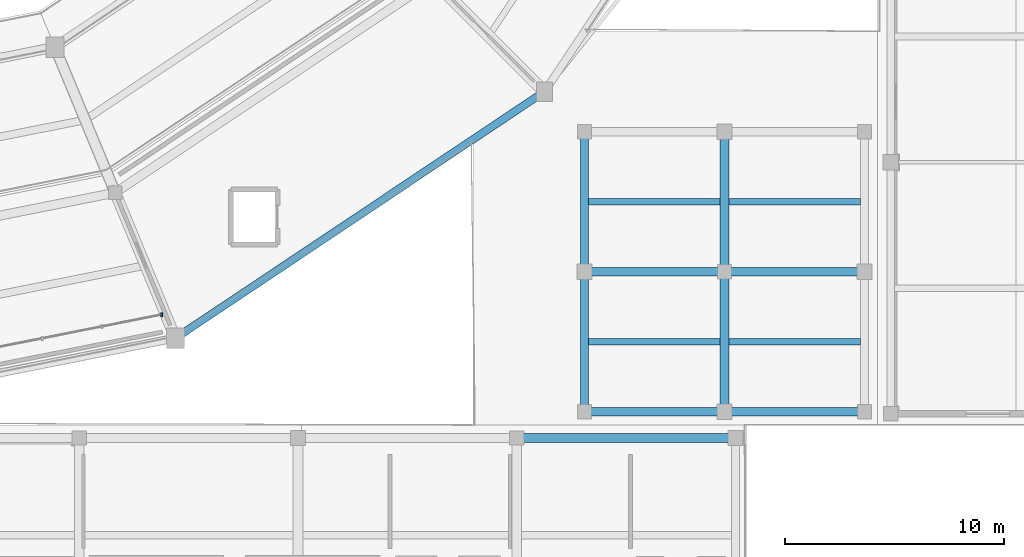
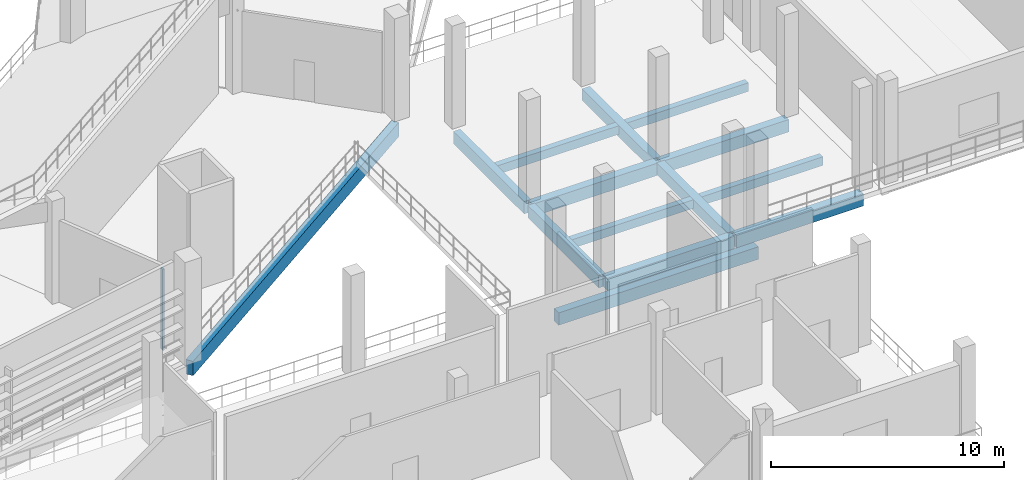
# One storey, part 36 of 127: 14 beams, 1 member, 1 element without a shape of its own.
"""IFC4 building model written with IfcOpenShell, lengths in metres."""

from ifc_helpers import new_model, si_unit, direction, frame, origin, origin_2d, place, context, subcontext, project, spatial, rectangle, extrude, material, material_profile, profile_set, type_object, element, aggregate, save


model = new_model("IFC4")

# Units and contexts
model_context = context("Model", 3, precision=1e-05, world=origin(), true_north=direction((0.0, 1.0)))
body_context = subcontext(model_context, "Body", "Model", "MODEL_VIEW")
ifc_project = project(units=[si_unit("LENGTHUNIT", "METRE"), si_unit("AREAUNIT", "SQUARE_METRE"), si_unit("VOLUMEUNIT", "CUBIC_METRE"), si_unit("PLANEANGLEUNIT", "RADIAN"), si_unit("MASSUNIT", "GRAM", prefix="KILO")], contexts=[model_context])

# Site, building, storey
site_placement = place(None, origin())
site = spatial("IfcSite", under=ifc_project, at=site_placement, CompositionType="ELEMENT")
building_placement = place(site_placement, origin())
building = spatial("IfcBuilding", under=site, at=building_placement, Name="Candeia Ridge Stadium", CompositionType="ELEMENT")
storey_placement = place(building_placement, frame((0.0, 0.0, 10.800048828125)))
storey = spatial("IfcBuildingStorey", under=building, at=storey_placement, Name="L02", CompositionType="ELEMENT", Elevation=10.800048828125)

# Curtain wall, member
ifc_material_1 = material(Name="Aluminium Anodized Warm Bronze", Category="aluminium")
curtain_wall_type = type_object("IfcCurtainWallType", Name="Concourse Recessed Unitised Curtain Wall", PredefinedType="NOTDEFINED", material=ifc_material_1)
curtain_wall_placement = place(storey_placement, origin())
curtain_wall = element("IfcCurtainWall", 1, at=curtain_wall_placement, inside=storey, type_object=curtain_wall_type, Name="Unitised curtain wall CW-BWL-L02-25", PredefinedType="NOTDEFINED")
ifc_material_profile_1 = material_profile(ifc_material_1, rectangle(XDim=0.090087890625, YDim=0.179931640625, at=origin_2d()), Name="CWM-90x180", Category="aluminium")
ifc_profile_set_1 = profile_set([ifc_material_profile_1], Name="Aluminium Anodized Warm Bronze")
member_type = type_object("IfcMemberType", Name="Curtain Wall Primary Mullion 90x180", PredefinedType="MULLION", material=ifc_profile_set_1)
member_placement = place(storey_placement, frame((160.263916015625, 24.03173828125, 0.0), z_axis=(0.0, 0.0, 1.0), x_axis=(1.0, 0.0, 0.0)))
member = element("IfcMember", 2, at=member_placement, type_object=member_type, Name="Curtain wall mullion CW-BWL-L02-25-M7", PredefinedType="MULLION", context=body_context, shape_type="SweptSolid", body=[
    extrude(rectangle(XDim=0.090087890625, YDim=0.179931640625, at=origin_2d()), origin(), (0.0, 0.0, 1.0), 4.2548828125),
])
aggregate(curtain_wall, [member])

# Beams
ifc_material_2 = material(Name="Concrete C40/50", Category="concrete")
ifc_material_profile_2 = material_profile(ifc_material_2, rectangle(XDim=0.300048828125, YDim=0.449951171875, at=origin_2d()), Name="RC300x450", Category="concrete")
ifc_profile_set_2 = profile_set([ifc_material_profile_2], Name="Concrete C40/50")
beam_type_1 = type_object("IfcBeamType", Name="Floor Joist RC300x450", PredefinedType="JOIST", material=ifc_profile_set_2)
for number, where, z_axis, x_axis, name in (
    (3, (179.7744140625, 22.800048828125, -0.485107421875), (1.0, 0.0, 0.0), (0.0, 1.0, 0.0), "Wing secondary joist BM-L02-2253"),
    (4, (179.7744140625, 29.199951171875, -0.485107421875), (1.0, 0.0, 0.0), (0.0, 1.0, 0.0), "Wing secondary joist BM-L02-2255"),
    (5, (186.199462890625, 22.800048828125, -0.485107421875), (1.0, 0.0, 0.0), (0.0, 1.0, 0.0), "Wing secondary joist BM-L02-2258"),
    (6, (186.199462890625, 29.199951171875, -0.485107421875), (1.0, 0.0, 0.0), (0.0, 1.0, 0.0), "Wing secondary joist BM-L02-2260"),
):
    element("IfcBeam", number, at=place(storey_placement, frame(where, z_axis=z_axis, x_axis=x_axis)), inside=storey, type_object=beam_type_1, Name=name, PredefinedType="JOIST", context=body_context, shape_type="SweptSolid", body=[
        extrude(rectangle(XDim=0.300048828125, YDim=0.449951171875, at=origin_2d()), origin(), (0.0, 0.0, 1.0), 6.026123046875),
    ])
ifc_material_profile_3 = material_profile(ifc_material_2, rectangle(XDim=0.39990234375, YDim=0.60009765625, at=origin_2d()), Name="RC400x600", Category="concrete")
ifc_profile_set_3 = profile_set([ifc_material_profile_3], Name="Concrete C40/50")
beam_type_2 = type_object("IfcBeamType", Name="Frame Girder RC400x600", PredefinedType="BEAM", material=ifc_profile_set_3)
for number, where, z_axis, x_axis, name in (
    (7, (186.0, 19.760009765625, -0.56005859375), (0.0, 1.0, 0.0), (-1.0, 0.0, 0.0), "Structural girder BM-L02-2248"),
    (8, (186.0, 26.159912109375, -0.56005859375), (0.0, 1.0, 0.0), (-1.0, 0.0, 0.0), "Structural girder BM-L02-2249"),
):
    element("IfcBeam", number, at=place(storey_placement, frame(where, z_axis=z_axis, x_axis=x_axis)), inside=storey, type_object=beam_type_2, Name=name, PredefinedType="BEAM", context=body_context, shape_type="SweptSolid", body=[
        extrude(rectangle(XDim=0.39990234375, YDim=0.60009765625, at=origin_2d()), origin(), (0.0, 0.0, 1.0), 6.080078125),
    ])
ifc_material_profile_4 = material_profile(ifc_material_2, rectangle(XDim=0.35009765625, YDim=0.64990234375, at=origin_2d()), Name="RC350x650", Category="concrete")
ifc_profile_set_4 = profile_set([ifc_material_profile_4], Name="Concrete C40/50")
beam_type_3 = type_object("IfcBeamType", Name="Spandrel Beam RC350x650", PredefinedType="SPANDREL", material=ifc_profile_set_4)
for number, where, z_axis, x_axis, name in (
    (9, (179.60009765625, 19.760009765625, -0.5849609375), (0.0, 1.0, 0.0), (-1.0, 0.0, 0.0), "Structural girder BM-L02-2246"),
    (10, (179.60009765625, 26.159912109375, -0.5849609375), (0.0, 1.0, 0.0), (-1.0, 0.0, 0.0), "Structural girder BM-L02-2247"),
):
    element("IfcBeam", number, at=place(storey_placement, frame(where, z_axis=z_axis, x_axis=x_axis)), inside=storey, type_object=beam_type_3, Name=name, PredefinedType="SPANDREL", context=body_context, shape_type="SweptSolid", body=[
        extrude(rectangle(XDim=0.35009765625, YDim=0.64990234375, at=origin_2d()), origin(), (0.0, 0.0, 1.0), 6.080078125),
    ])
ifc_material_3 = material(Name="Concrete C45/55", Category="concrete")
ifc_material_profile_5 = material_profile(ifc_material_3, rectangle(XDim=0.35009765625, YDim=0.75, at=origin_2d()), Name="RC350x750", Category="concrete")
ifc_profile_set_5 = profile_set([ifc_material_profile_5], Name="Concrete C45/55")
beam_type_4 = type_object("IfcBeamType", Name="Spandrel Beam RC350x750", PredefinedType="SPANDREL", material=ifc_profile_set_5)
beam_1_placement = place(storey_placement, frame((161.032470703125, 23.047119140625, -0.635009765625), z_axis=(0.831468647505, 0.555571676938, 0.0), x_axis=(-0.555571676938, 0.831468647505, 0.0)))
element("IfcBeam", 11, at=beam_1_placement, inside=storey, type_object=beam_type_4, Name="Bowl perimeter spandrel BM-L02-0435", PredefinedType="SPANDREL", context=body_context, shape_type="SweptSolid", body=[
    extrude(rectangle(XDim=0.35009765625, YDim=0.75, at=origin_2d()), origin(), (0.0, 0.0, 1.0), 19.969482421875),
])
ifc_material_profile_6 = material_profile(ifc_material_2, rectangle(XDim=0.39990234375, YDim=0.64990234375, at=origin_2d()), Name="RC400x650", Category="concrete")
ifc_profile_set_6 = profile_set([ifc_material_profile_6], Name="Concrete C40/50")
beam_type_5 = type_object("IfcBeamType", Name="Wing Primary Girder RC400x650", PredefinedType="BEAM", material=ifc_profile_set_6)
beam_2_placement = place(storey_placement, frame((176.550048828125, 18.39990234375, -0.5849609375), z_axis=(1.0, 0.0, 0.0), x_axis=(0.0, 1.0, 0.0)))
element("IfcBeam", 12, at=beam_2_placement, inside=storey, type_object=beam_type_5, Name="Structural girder BM-L02-2187", PredefinedType="BEAM", context=body_context, shape_type="SweptSolid", body=[
    extrude(rectangle(XDim=0.39990234375, YDim=0.64990234375, at=origin_2d()), origin(), (0.0, 0.0, 1.0), 9.89990234375),
])
for number, where, z_axis, x_axis, name in (
    (13, (179.64990234375, 19.60009765625, -0.5849609375), (1.0, 0.0, 0.0), (0.0, 1.0, 0.0), "Structural girder BM-L02-2252"),
    (14, (179.64990234375, 26.0, -0.5849609375), (1.0, 0.0, 0.0), (0.0, 1.0, 0.0), "Structural girder BM-L02-2254"),
    (15, (186.050048828125, 19.60009765625, -0.5849609375), (1.0, 0.0, 0.0), (0.0, 1.0, 0.0), "Structural girder BM-L02-2257"),
    (16, (186.050048828125, 26.0, -0.5849609375), (1.0, 0.0, 0.0), (0.0, 1.0, 0.0), "Structural girder BM-L02-2259"),
):
    element("IfcBeam", number, at=place(storey_placement, frame(where, z_axis=z_axis, x_axis=x_axis)), inside=storey, type_object=beam_type_5, Name=name, PredefinedType="BEAM", context=body_context, shape_type="SweptSolid", body=[
        extrude(rectangle(XDim=0.39990234375, YDim=0.64990234375, at=origin_2d()), origin(), (0.0, 0.0, 1.0), 6.300048828125),
    ])

save(model, "model.ifc")
